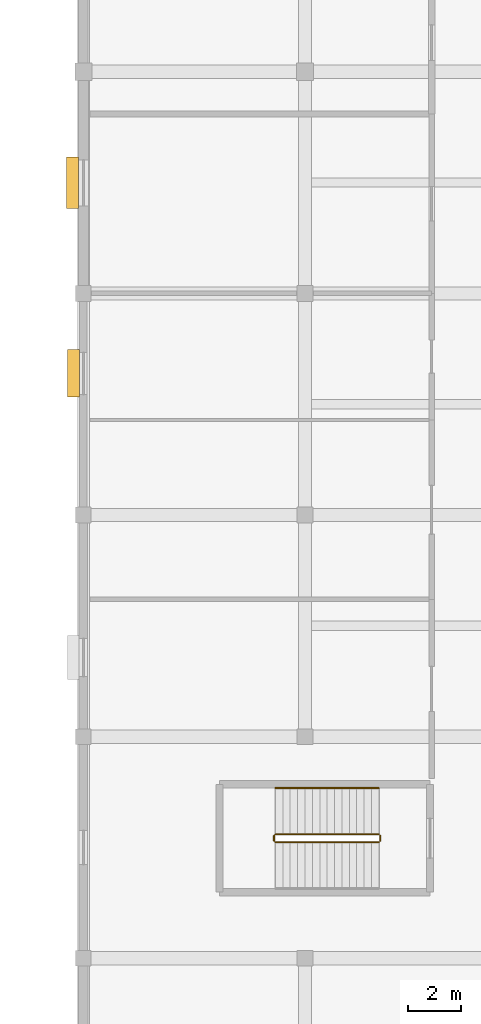
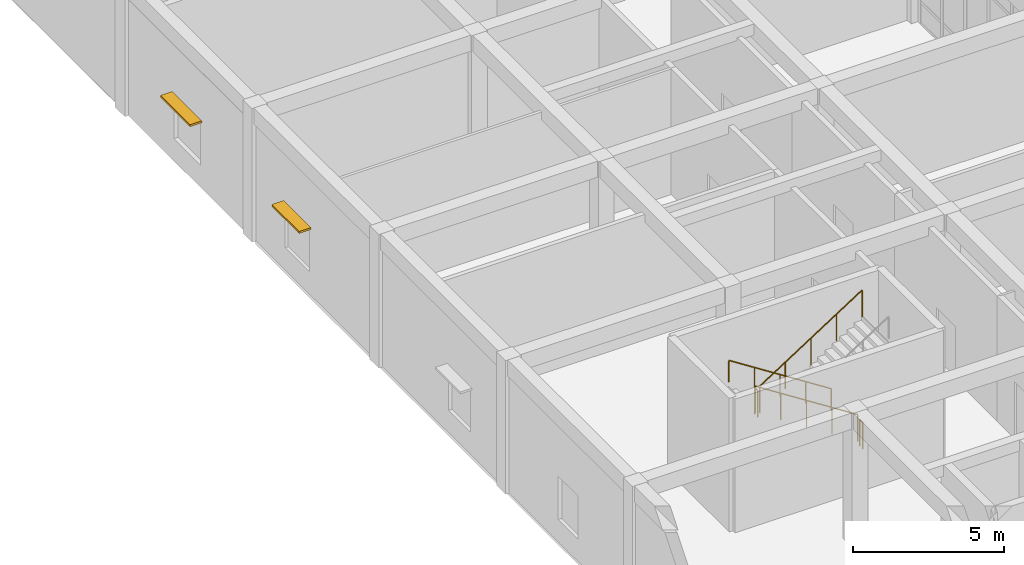
# One storey, part 75 of 89: 5 railings, 2 shading devices.
"""IFC4 building model written with IfcOpenShell, lengths in metres."""

import ifcopenshell
import ifcopenshell.guid

model = None  # the IFC model being written
_history = None  # IfcOwnerHistory: only IFC2X3 demands one
_inside = {}  # id of a spatial element -> (the spatial element, [elements in it])
_under = {}  # id of a project, library or spatial element -> (it, [spatial elements below it])
_declared = {}  # id of a project -> (the project, [libraries it declares])
_typed = {}  # id of a type object -> (the type object, [elements of that type])
_made_of = {}  # id of a material, layer set ... -> (it, [elements and type objects made of it])


def new_model(schema):
    """Start an empty IFC model of exactly this schema.

    Asked for "IFC4X3", IfcOpenShell would pick the latest addendum, in which some entities
    have other attributes; the version numbers below select the first issue.
    IFC2X3 requires an IfcOwnerHistory on every rooted entity: one is made here for all.
    """
    global model, _history
    if schema == "IFC4X3":
        model = ifcopenshell.file(schema_version=(4, 3, 0, 0))
    else:
        model = ifcopenshell.file(schema=schema)
    _inside.clear()
    _under.clear()
    _declared.clear()
    _typed.clear()
    _made_of.clear()
    _history = None
    if model.schema == "IFC2X3":
        org = make("IfcOrganization", Name="unknown")
        user = make(
            "IfcPersonAndOrganization",
            ThePerson=make("IfcPerson", FamilyName="unknown"),
            TheOrganization=org,
        )
        app = make(
            "IfcApplication",
            ApplicationDeveloper=org,
            Version="unknown",
            ApplicationFullName="unknown",
            ApplicationIdentifier="unknown",
        )
        _history = make(
            "IfcOwnerHistory",
            OwningUser=user,
            OwningApplication=app,
            ChangeAction="ADDED",
            CreationDate=0,
        )
    return model


def make(cls, **values):
    """One entity of the class cls with the attributes given. An attribute that is None is left unset."""
    return model.create_entity(
        cls, **{name: value for name, value in values.items() if value is not None}
    )


def rooted(cls, **values):
    """An entity with a GlobalId (a new one), such as an element, a storey or a relation."""
    return make(cls, GlobalId=ifcopenshell.guid.new(), OwnerHistory=_history, **values)


def si_unit(unit_type, name, prefix=None):
    """IfcSIUnit, for example si_unit("LENGTHUNIT", "METRE", prefix="MILLI")."""
    return make("IfcSIUnit", UnitType=unit_type, Prefix=prefix, Name=name)


def assignment(units):
    """IfcUnitAssignment: the units of a project."""
    return None if units is None else make("IfcUnitAssignment", Units=units)


def point(xyz):
    """IfcCartesianPoint."""
    return None if xyz is None else make("IfcCartesianPoint", Coordinates=xyz)


def direction(xyz):
    """IfcDirection."""
    return None if xyz is None else make("IfcDirection", DirectionRatios=xyz)


def frame(location, z_axis=None, x_axis=None):
    """IfcAxis2Placement3D, a coordinate frame: its origin and axes. An axis left out is left unset."""
    return make(
        "IfcAxis2Placement3D",
        Location=point(location),
        Axis=direction(z_axis),
        RefDirection=direction(x_axis),
    )


def frame_2d(location, x_axis=None):
    """IfcAxis2Placement2D, a coordinate frame in the plane: its origin and x axis."""
    return make(
        "IfcAxis2Placement2D", Location=point(location), RefDirection=direction(x_axis)
    )


def origin():
    """The frame at (0, 0, 0) with its axes left unset."""
    return frame((0.0, 0.0, 0.0))


def origin_2d():
    """The frame at (0, 0) in the plane with its x axis left unset."""
    return frame_2d((0.0, 0.0))


def place(relative_to, where):
    """IfcLocalPlacement: puts the frame where relative to a parent placement (None: the world)."""
    return make(
        "IfcLocalPlacement", PlacementRelTo=relative_to, RelativePlacement=where
    )


def context(
    kind, dimensions, precision=None, world=None, true_north=None, identifier=None
):
    """IfcGeometricRepresentationContext, for example the 3D "Model" context."""
    return make(
        "IfcGeometricRepresentationContext",
        ContextIdentifier=identifier,
        ContextType=kind,
        CoordinateSpaceDimension=dimensions,
        Precision=precision,
        WorldCoordinateSystem=world,
        TrueNorth=true_north,
    )


def subcontext(parent, identifier, kind, view, scale=None):
    """IfcGeometricRepresentationSubContext, for example "Body" below "Model"."""
    return make(
        "IfcGeometricRepresentationSubContext",
        ContextIdentifier=identifier,
        ContextType=kind,
        ParentContext=parent,
        TargetScale=scale,
        TargetView=view,
    )


def project(units=None, contexts=None):
    """IfcProject with its units and contexts."""
    return rooted(
        "IfcProject",
        Name="project",
        RepresentationContexts=contexts,
        UnitsInContext=assignment(units),
    )


def spatial(cls, under=None, at=None, **own):
    """A site, building, storey or space (cls), placed at a placement, below another one or the project."""
    s = rooted(cls, ObjectPlacement=at, **own)
    if under is not None:
        _under.setdefault(under.id(), (under, []))[1].append(s)
    return s


def profile(cls, at=None, kind="AREA", **sizes):
    """A parametric profile (cls). Its sizes go by their IFC names, for example OverallWidth=200.0."""
    return make(cls, ProfileType=kind, Position=at, **sizes)


def rectangle(**sizes):
    """IfcRectangleProfileDef."""
    return profile("IfcRectangleProfileDef", **sizes)


def circle(**sizes):
    """IfcCircleProfileDef."""
    return profile("IfcCircleProfileDef", **sizes)


def extrude(swept, where, along, depth):
    """IfcExtrudedAreaSolid: the profile swept, set in the frame where, extruded along a direction by depth."""
    return make(
        "IfcExtrudedAreaSolid",
        SweptArea=swept,
        Position=where,
        ExtrudedDirection=direction(along),
        Depth=depth,
    )


def shape(context_of_items, identifier, shape_type, items):
    """IfcShapeRepresentation: the items that make up one representation, for example the "Body"."""
    return make(
        "IfcShapeRepresentation",
        ContextOfItems=context_of_items,
        RepresentationIdentifier=identifier,
        RepresentationType=shape_type,
        Items=items,
    )


def material(Name=None, Category=None):
    """IfcMaterial."""
    return make("IfcMaterial", Name=Name, Category=Category)


def layer(
    of_material, thickness, ventilated=None, Name=None, Category=None, Priority=None
):
    """IfcMaterialLayer: one layer of a wall or slab, of a material (None: an air gap)."""
    return make(
        "IfcMaterialLayer",
        Material=of_material,
        LayerThickness=thickness,
        IsVentilated=ventilated,
        Name=Name,
        Category=Category,
        Priority=Priority,
    )


def layer_set(layers, Name=None):
    """IfcMaterialLayerSet."""
    return make("IfcMaterialLayerSet", MaterialLayers=layers, LayerSetName=Name)


def made_of(thing, what):
    """Note that an element or type object is made of a material, layer set ...; save() writes the relation."""
    if what is not None:
        _made_of.setdefault(what.id(), (what, []))[1].append(thing)
    return thing


def type_object(cls, material=None, **own):
    """A type object (cls), such as IfcWallType, which elements share."""
    return made_of(rooted(cls, **own), material)


def element(
    cls,
    number,
    at=None,
    inside=None,
    cuts=None,
    type_object=None,
    material=None,
    context=None,
    identifier="Body",
    shape_type=None,
    held_by="IfcProductDefinitionShape",
    body=None,
    shapes=None,
    **own,
):
    """One element of the class cls, such as IfcWall. Its Tag is "e" and its number.

    at: its placement. inside: the storey or other place that contains it. cuts: it is an
    opening in that element (IfcRelVoidsElement). A single representation is given by context,
    identifier, shape_type and body (its items); several are given by shapes. held_by: the class
    of the entity that holds the representations. save() writes the other relations.
    """
    e = rooted(cls, Tag="e%d" % number, ObjectPlacement=at, **own)
    if body is not None:
        shapes = [shape(context, identifier, shape_type, body)]
    if shapes is not None:
        e.Representation = make(held_by, Representations=shapes)
    if inside is not None:
        _inside.setdefault(inside.id(), (inside, []))[1].append(e)
    if cuts is not None:
        rooted(
            "IfcRelVoidsElement", RelatingBuildingElement=cuts, RelatedOpeningElement=e
        )
    if type_object is not None:
        _typed.setdefault(type_object.id(), (type_object, []))[1].append(e)
    return made_of(e, material)


def aggregate(whole, parts):
    """IfcRelAggregates: a whole, such as a stair, and the parts it consists of."""
    return rooted("IfcRelAggregates", RelatingObject=whole, RelatedObjects=parts)


def save(model, path):
    """Write the relations noted so far, then the file.

    IfcRelAggregates (storeys below a building ...), IfcRelContainedInSpatialStructure (elements
    in a storey), IfcRelDefinesByType, IfcRelAssociatesMaterial and IfcRelDeclares: one each for
    every whole, place, type object, material and project.
    """
    for whole, parts in _under.values():
        aggregate(whole, parts)
    for where, things in _inside.values():
        rooted(
            "IfcRelContainedInSpatialStructure",
            RelatedElements=things,
            RelatingStructure=where,
        )
    for kind, things in _typed.values():
        rooted("IfcRelDefinesByType", RelatedObjects=things, RelatingType=kind)
    for what, things in _made_of.values():
        rooted("IfcRelAssociatesMaterial", RelatedObjects=things, RelatingMaterial=what)
    for by, libraries in _declared.values():
        rooted("IfcRelDeclares", RelatingContext=by, RelatedDefinitions=libraries)
    model.write(path)


model = new_model("IFC4")

# Units and contexts
model_context = context("Model", 3, precision=1e-05, world=origin(), true_north=direction((0.0, 1.0)))
body_context = subcontext(model_context, "Body", "Model", "MODEL_VIEW")
ifc_project = project(units=[si_unit("LENGTHUNIT", "METRE"), si_unit("AREAUNIT", "SQUARE_METRE"), si_unit("VOLUMEUNIT", "CUBIC_METRE"), si_unit("PLANEANGLEUNIT", "RADIAN"), si_unit("MASSUNIT", "GRAM", prefix="KILO")], contexts=[model_context])

# Site, building, storey
site_placement = place(None, origin())
site = spatial("IfcSite", under=ifc_project, at=site_placement, CompositionType="ELEMENT")
building_placement = place(site_placement, origin())
building = spatial("IfcBuilding", under=site, at=building_placement, Name="Varncliffe General Hospital", CompositionType="ELEMENT")
storey_placement = place(building_placement, frame((0.0, 0.0, 10.800048828125)))
storey = spatial("IfcBuildingStorey", under=building, at=storey_placement, Name="L02", CompositionType="ELEMENT", Elevation=10.800048828125)

# Shading devices
ifc_material_1 = material(Name="Dark bronze extruded aluminium solar jalousie louvres", Category="aluminium")
ifc_layer = layer(ifc_material_1, 0.080078125)
ifc_layer_set = layer_set([ifc_layer], Name="Dark bronze extruded aluminium solar jalousie louvres")
shading_device_type = type_object("IfcShadingDeviceType", Name="Bronze Solar Jalousie Louvre Hood SHD18", PredefinedType="JALOUSIE", material=ifc_layer_set)
shading_device_1_placement = place(storey_placement, frame((-0.3701171875, 79.766845703125, 2.659912109375), z_axis=(0.0, 0.0, 1.0), x_axis=(0.0, 1.0, 0.0)))
element("IfcShadingDevice", 1, at=shading_device_1_placement, inside=storey, type_object=shading_device_type, Name="L02 Bronze Window Sun-Shading Louvre 63", PredefinedType="JALOUSIE", context=body_context, shape_type="SweptSolid", body=[
    extrude(rectangle(XDim=1.800048828125, YDim=0.449951171875, at=origin_2d()), origin(), (0.0, 0.0, 1.0), 0.080078125),
])
shading_device_2_placement = place(storey_placement, frame((-0.4150390625, 86.987548828125, 2.659912109375), z_axis=(0.0, 0.0, 1.0), x_axis=(0.0, 1.0, 0.0)))
element("IfcShadingDevice", 2, at=shading_device_2_placement, inside=storey, type_object=shading_device_type, Name="L02 Bronze Window Sun-Shading Louvre 64", PredefinedType="JALOUSIE", context=body_context, shape_type="SweptSolid", body=[
    extrude(rectangle(XDim=1.949951171875, YDim=0.449951171875, at=origin_2d()), origin(), (0.0, 0.0, 1.0), 0.080078125),
])

# Railings
ifc_material_2 = material(Name="Powder-coated hospital steel guardrail and handrail", Category="steel")
railing_type_1 = type_object("IfcRailingType", Name="Stair and Ramp Handrail HR46", PredefinedType="HANDRAIL", material=ifc_material_2)
railing_1_placement = place(storey_placement, frame((11.199951171875, 64.050048828125, 0.364013671875)))
element("IfcRailing", 3, at=railing_1_placement, inside=storey, type_object=railing_type_1, Name="L02 ST05 stair handrail 1", PredefinedType="HANDRAIL", context=body_context, shape_type="SweptSolid", body=[
    extrude(circle(Radius=0.02392578125, at=origin_2d()), frame((0.0, 0.0, 0.8759765625), z_axis=(-0.841171666519, 0.0, 0.540768182723), x_axis=(0.0, -1.0, 0.0)), (0.0, 0.0, 1.0), 4.66015625),
    extrude(circle(Radius=0.02099609375, at=origin_2d()), origin(), (0.0, 0.0, 1.0), 0.851806640625),
    extrude(circle(Radius=0.02099609375, at=origin_2d()), frame((-0.97998046875, 0.0, 0.6298828125)), (0.0, 0.0, 1.0), 0.851806640625),
    extrude(circle(Radius=0.02099609375, at=origin_2d()), frame((-1.9599609375, 0.0, 1.260009765625)), (0.0, 0.0, 1.0), 0.851806640625),
    extrude(circle(Radius=0.02099609375, at=origin_2d()), frame((-2.93994140625, 0.0, 1.89013671875)), (0.0, 0.0, 1.0), 0.851806640625),
    extrude(circle(Radius=0.02099609375, at=origin_2d()), frame((-3.919921875, 0.0, 2.52001953125)), (0.0, 0.0, 1.0), 0.851806640625),
])
railing_type_2 = type_object("IfcRailingType", Name="Stairwell Guardrail SG49", PredefinedType="GUARDRAIL", material=ifc_material_2)
railing_2_placement = place(storey_placement, frame((11.199951171875, 62.300048828125, 0.179931640625)))
element("IfcRailing", 4, at=railing_2_placement, inside=storey, type_object=railing_type_2, Name="L02 ST05 stair guard 1", PredefinedType="GUARDRAIL", context=body_context, shape_type="SweptSolid", body=[
    extrude(circle(Radius=0.02392578125, at=origin_2d()), frame((0.0, 0.0, 1.076171875), z_axis=(-0.841171666519, 0.0, 0.540768182723), x_axis=(0.0, -1.0, 0.0)), (0.0, 0.0, 1.0), 4.66015625),
    extrude(circle(Radius=0.02099609375, at=origin_2d()), origin(), (0.0, 0.0, 1.0), 1.052001953125),
    extrude(circle(Radius=0.02099609375, at=origin_2d()), frame((-0.97998046875, 0.0, 0.6298828125)), (0.0, 0.0, 1.0), 1.052001953125),
    extrude(circle(Radius=0.02099609375, at=origin_2d()), frame((-1.9599609375, 0.0, 1.260009765625)), (0.0, 0.0, 1.0), 1.052001953125),
    extrude(circle(Radius=0.02099609375, at=origin_2d()), frame((-2.93994140625, 0.0, 1.89013671875)), (0.0, 0.0, 1.0), 1.052001953125),
    extrude(circle(Radius=0.02099609375, at=origin_2d()), frame((-3.919921875, 0.0, 2.52001953125)), (0.0, 0.0, 1.0), 1.052001953125),
])
railing_3_placement = place(storey_placement, frame((7.22998046875, 62.25, 2.699951171875)))
element("IfcRailing", 5, at=railing_3_placement, inside=storey, type_object=railing_type_2, Name="L02 ST05 stair guard 2", PredefinedType="GUARDRAIL", context=body_context, shape_type="SweptSolid", body=[
    extrude(circle(Radius=0.02392578125, at=origin_2d()), frame((0.0, 0.0, 1.076171875), z_axis=(0.0, -1.0, 0.0), x_axis=(1.0, 0.0, 0.0)), (0.0, 0.0, 1.0), 0.199951171875),
    extrude(circle(Radius=0.02099609375, at=origin_2d()), origin(), (0.0, 0.0, 1.0), 1.052001953125),
    extrude(circle(Radius=0.02099609375, at=origin_2d()), frame((0.0, -0.199951171875, 0.0)), (0.0, 0.0, 1.0), 1.052001953125),
])
railing_4_placement = place(storey_placement, frame((7.280029296875, 62.0, 2.8798828125)))
element("IfcRailing", 6, at=railing_4_placement, inside=storey, type_object=railing_type_2, Name="L02 ST05 stair guard 3", PredefinedType="GUARDRAIL", context=body_context, shape_type="SweptSolid", body=[
    extrude(circle(Radius=0.02392578125, at=origin_2d()), frame((0.0, 0.0, 1.076171875), z_axis=(0.841171666519, 0.0, 0.540768182723), x_axis=(0.0, 1.0, 0.0)), (0.0, 0.0, 1.0), 4.66015625),
    extrude(circle(Radius=0.02099609375, at=origin_2d()), origin(), (0.0, 0.0, 1.0), 1.052001953125),
    extrude(circle(Radius=0.02099609375, at=origin_2d()), frame((0.97998046875, 0.0, 0.6298828125)), (0.0, 0.0, 1.0), 1.052001953125),
    extrude(circle(Radius=0.02099609375, at=origin_2d()), frame((1.9599609375, 0.0, 1.260009765625)), (0.0, 0.0, 1.0), 1.052001953125),
    extrude(circle(Radius=0.02099609375, at=origin_2d()), frame((2.93994140625, 0.0, 1.89013671875)), (0.0, 0.0, 1.0), 1.052001953125),
    extrude(circle(Radius=0.02099609375, at=origin_2d()), frame((3.919921875, 0.0, 2.52001953125)), (0.0, 0.0, 1.0), 1.052001953125),
])
railing_5_placement = place(storey_placement, frame((11.25, 62.25, 0.0)))
element("IfcRailing", 7, at=railing_5_placement, inside=storey, type_object=railing_type_2, Name="L02 ST05 stair guard 4", PredefinedType="GUARDRAIL", context=body_context, shape_type="SweptSolid", body=[
    extrude(circle(Radius=0.02392578125, at=origin_2d()), frame((0.0, 0.0, 1.076171875), z_axis=(0.0, -1.0, 0.0), x_axis=(1.0, 0.0, 0.0)), (0.0, 0.0, 1.0), 0.199951171875),
    extrude(circle(Radius=0.02099609375, at=origin_2d()), origin(), (0.0, 0.0, 1.0), 1.052001953125),
    extrude(circle(Radius=0.02099609375, at=origin_2d()), frame((0.0, -0.199951171875, 0.0)), (0.0, 0.0, 1.0), 1.052001953125),
])

save(model, "model.ifc")
